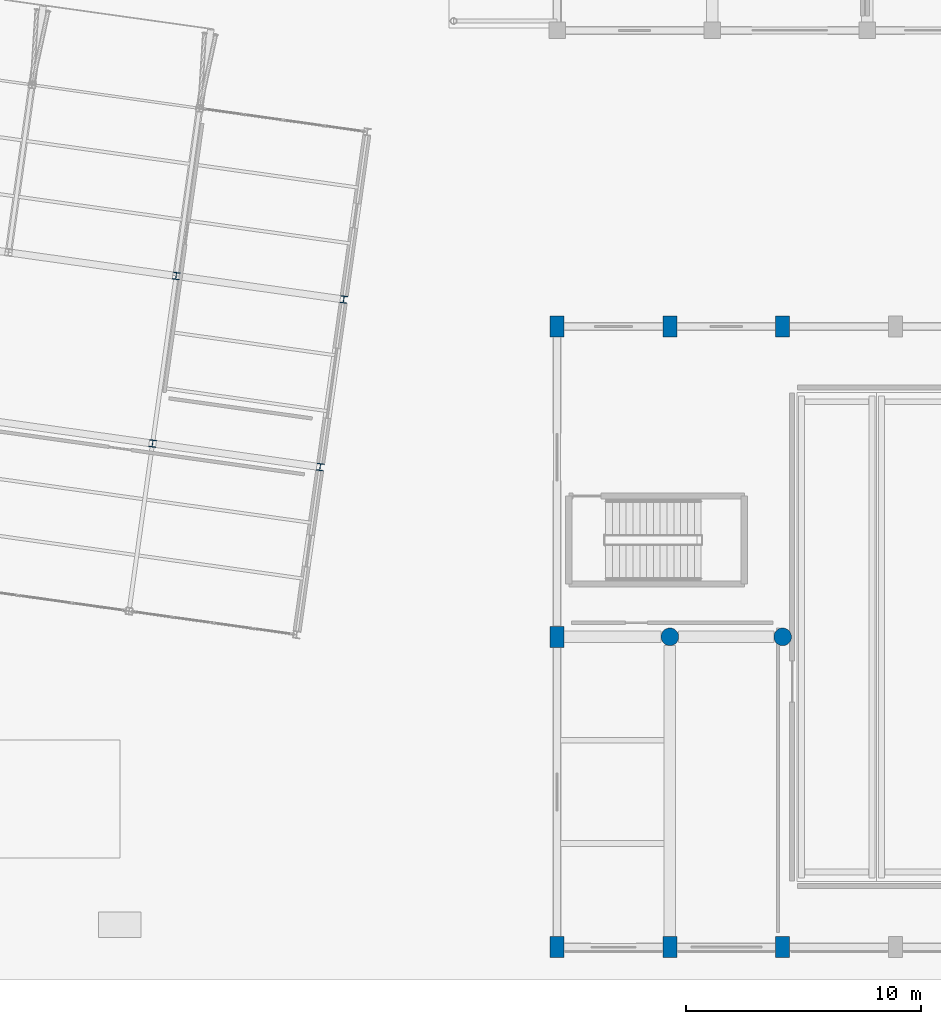
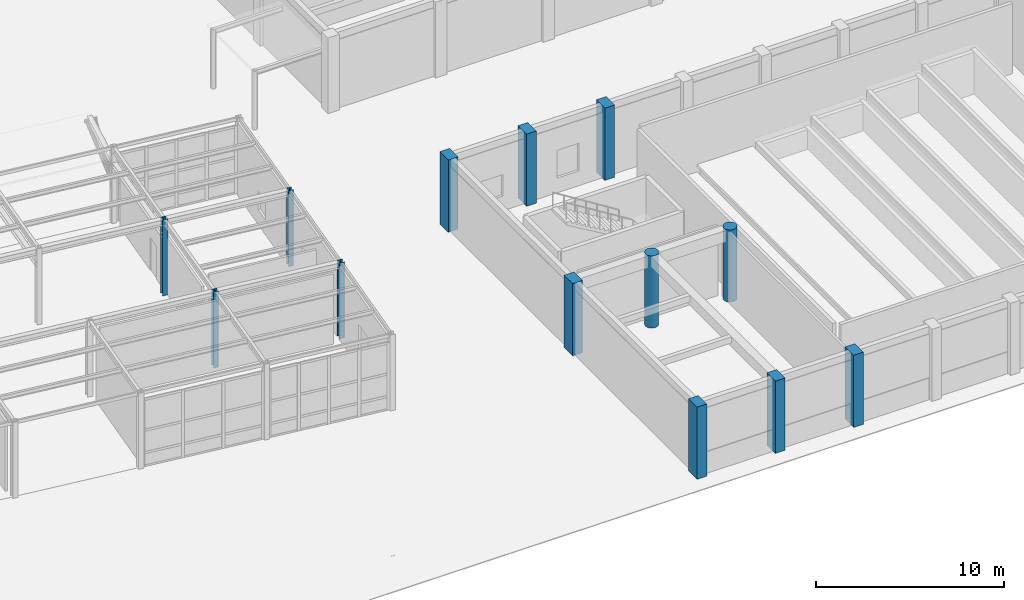
# One storey, part 6 of 57: 13 columns.
"""IFC4 building model written with IfcOpenShell, lengths in metres."""

import ifcopenshell
import ifcopenshell.guid

model = None  # the IFC model being written
_history = None  # IfcOwnerHistory: only IFC2X3 demands one
_inside = {}  # id of a spatial element -> (the spatial element, [elements in it])
_under = {}  # id of a project, library or spatial element -> (it, [spatial elements below it])
_declared = {}  # id of a project -> (the project, [libraries it declares])
_typed = {}  # id of a type object -> (the type object, [elements of that type])
_made_of = {}  # id of a material, layer set ... -> (it, [elements and type objects made of it])


def new_model(schema):
    """Start an empty IFC model of exactly this schema.

    Asked for "IFC4X3", IfcOpenShell would pick the latest addendum, in which some entities
    have other attributes; the version numbers below select the first issue.
    IFC2X3 requires an IfcOwnerHistory on every rooted entity: one is made here for all.
    """
    global model, _history
    if schema == "IFC4X3":
        model = ifcopenshell.file(schema_version=(4, 3, 0, 0))
    else:
        model = ifcopenshell.file(schema=schema)
    _inside.clear()
    _under.clear()
    _declared.clear()
    _typed.clear()
    _made_of.clear()
    _history = None
    if model.schema == "IFC2X3":
        org = make("IfcOrganization", Name="unknown")
        user = make(
            "IfcPersonAndOrganization",
            ThePerson=make("IfcPerson", FamilyName="unknown"),
            TheOrganization=org,
        )
        app = make(
            "IfcApplication",
            ApplicationDeveloper=org,
            Version="unknown",
            ApplicationFullName="unknown",
            ApplicationIdentifier="unknown",
        )
        _history = make(
            "IfcOwnerHistory",
            OwningUser=user,
            OwningApplication=app,
            ChangeAction="ADDED",
            CreationDate=0,
        )
    return model


def make(cls, **values):
    """One entity of the class cls with the attributes given. An attribute that is None is left unset."""
    return model.create_entity(
        cls, **{name: value for name, value in values.items() if value is not None}
    )


def rooted(cls, **values):
    """An entity with a GlobalId (a new one), such as an element, a storey or a relation."""
    return make(cls, GlobalId=ifcopenshell.guid.new(), OwnerHistory=_history, **values)


def si_unit(unit_type, name, prefix=None):
    """IfcSIUnit, for example si_unit("LENGTHUNIT", "METRE", prefix="MILLI")."""
    return make("IfcSIUnit", UnitType=unit_type, Prefix=prefix, Name=name)


def assignment(units):
    """IfcUnitAssignment: the units of a project."""
    return None if units is None else make("IfcUnitAssignment", Units=units)


def point(xyz):
    """IfcCartesianPoint."""
    return None if xyz is None else make("IfcCartesianPoint", Coordinates=xyz)


def direction(xyz):
    """IfcDirection."""
    return None if xyz is None else make("IfcDirection", DirectionRatios=xyz)


def frame(location, z_axis=None, x_axis=None):
    """IfcAxis2Placement3D, a coordinate frame: its origin and axes. An axis left out is left unset."""
    return make(
        "IfcAxis2Placement3D",
        Location=point(location),
        Axis=direction(z_axis),
        RefDirection=direction(x_axis),
    )


def frame_2d(location, x_axis=None):
    """IfcAxis2Placement2D, a coordinate frame in the plane: its origin and x axis."""
    return make(
        "IfcAxis2Placement2D", Location=point(location), RefDirection=direction(x_axis)
    )


def origin():
    """The frame at (0, 0, 0) with its axes left unset."""
    return frame((0.0, 0.0, 0.0))


def origin_2d():
    """The frame at (0, 0) in the plane with its x axis left unset."""
    return frame_2d((0.0, 0.0))


def place(relative_to, where):
    """IfcLocalPlacement: puts the frame where relative to a parent placement (None: the world)."""
    return make(
        "IfcLocalPlacement", PlacementRelTo=relative_to, RelativePlacement=where
    )


def context(
    kind, dimensions, precision=None, world=None, true_north=None, identifier=None
):
    """IfcGeometricRepresentationContext, for example the 3D "Model" context."""
    return make(
        "IfcGeometricRepresentationContext",
        ContextIdentifier=identifier,
        ContextType=kind,
        CoordinateSpaceDimension=dimensions,
        Precision=precision,
        WorldCoordinateSystem=world,
        TrueNorth=true_north,
    )


def subcontext(parent, identifier, kind, view, scale=None):
    """IfcGeometricRepresentationSubContext, for example "Body" below "Model"."""
    return make(
        "IfcGeometricRepresentationSubContext",
        ContextIdentifier=identifier,
        ContextType=kind,
        ParentContext=parent,
        TargetScale=scale,
        TargetView=view,
    )


def project(units=None, contexts=None):
    """IfcProject with its units and contexts."""
    return rooted(
        "IfcProject",
        Name="project",
        RepresentationContexts=contexts,
        UnitsInContext=assignment(units),
    )


def spatial(cls, under=None, at=None, **own):
    """A site, building, storey or space (cls), placed at a placement, below another one or the project."""
    s = rooted(cls, ObjectPlacement=at, **own)
    if under is not None:
        _under.setdefault(under.id(), (under, []))[1].append(s)
    return s


def profile(cls, at=None, kind="AREA", **sizes):
    """A parametric profile (cls). Its sizes go by their IFC names, for example OverallWidth=200.0."""
    return make(cls, ProfileType=kind, Position=at, **sizes)


def rectangle(**sizes):
    """IfcRectangleProfileDef."""
    return profile("IfcRectangleProfileDef", **sizes)


def circle(**sizes):
    """IfcCircleProfileDef."""
    return profile("IfcCircleProfileDef", **sizes)


def i_section(**sizes):
    """IfcIShapeProfileDef."""
    return profile("IfcIShapeProfileDef", **sizes)


def extrude(swept, where, along, depth):
    """IfcExtrudedAreaSolid: the profile swept, set in the frame where, extruded along a direction by depth."""
    return make(
        "IfcExtrudedAreaSolid",
        SweptArea=swept,
        Position=where,
        ExtrudedDirection=direction(along),
        Depth=depth,
    )


def shape(context_of_items, identifier, shape_type, items):
    """IfcShapeRepresentation: the items that make up one representation, for example the "Body"."""
    return make(
        "IfcShapeRepresentation",
        ContextOfItems=context_of_items,
        RepresentationIdentifier=identifier,
        RepresentationType=shape_type,
        Items=items,
    )


def material(Name=None, Category=None):
    """IfcMaterial."""
    return make("IfcMaterial", Name=Name, Category=Category)


def material_profile(
    of_material, cross_section, Name=None, Category=None, Priority=None
):
    """IfcMaterialProfile: a cross section and its material."""
    return make(
        "IfcMaterialProfile",
        Name=Name,
        Material=of_material,
        Profile=cross_section,
        Priority=Priority,
        Category=Category,
    )


def profile_set(profiles, Name=None, composite=None):
    """IfcMaterialProfileSet."""
    return make(
        "IfcMaterialProfileSet",
        Name=Name,
        MaterialProfiles=profiles,
        CompositeProfile=composite,
    )


def made_of(thing, what):
    """Note that an element or type object is made of a material, layer set ...; save() writes the relation."""
    if what is not None:
        _made_of.setdefault(what.id(), (what, []))[1].append(thing)
    return thing


def type_object(cls, material=None, **own):
    """A type object (cls), such as IfcWallType, which elements share."""
    return made_of(rooted(cls, **own), material)


def element(
    cls,
    number,
    at=None,
    inside=None,
    cuts=None,
    type_object=None,
    material=None,
    context=None,
    identifier="Body",
    shape_type=None,
    held_by="IfcProductDefinitionShape",
    body=None,
    shapes=None,
    **own,
):
    """One element of the class cls, such as IfcWall. Its Tag is "e" and its number.

    at: its placement. inside: the storey or other place that contains it. cuts: it is an
    opening in that element (IfcRelVoidsElement). A single representation is given by context,
    identifier, shape_type and body (its items); several are given by shapes. held_by: the class
    of the entity that holds the representations. save() writes the other relations.
    """
    e = rooted(cls, Tag="e%d" % number, ObjectPlacement=at, **own)
    if body is not None:
        shapes = [shape(context, identifier, shape_type, body)]
    if shapes is not None:
        e.Representation = make(held_by, Representations=shapes)
    if inside is not None:
        _inside.setdefault(inside.id(), (inside, []))[1].append(e)
    if cuts is not None:
        rooted(
            "IfcRelVoidsElement", RelatingBuildingElement=cuts, RelatedOpeningElement=e
        )
    if type_object is not None:
        _typed.setdefault(type_object.id(), (type_object, []))[1].append(e)
    return made_of(e, material)


def aggregate(whole, parts):
    """IfcRelAggregates: a whole, such as a stair, and the parts it consists of."""
    return rooted("IfcRelAggregates", RelatingObject=whole, RelatedObjects=parts)


def save(model, path):
    """Write the relations noted so far, then the file.

    IfcRelAggregates (storeys below a building ...), IfcRelContainedInSpatialStructure (elements
    in a storey), IfcRelDefinesByType, IfcRelAssociatesMaterial and IfcRelDeclares: one each for
    every whole, place, type object, material and project.
    """
    for whole, parts in _under.values():
        aggregate(whole, parts)
    for where, things in _inside.values():
        rooted(
            "IfcRelContainedInSpatialStructure",
            RelatedElements=things,
            RelatingStructure=where,
        )
    for kind, things in _typed.values():
        rooted("IfcRelDefinesByType", RelatedObjects=things, RelatingType=kind)
    for what, things in _made_of.values():
        rooted("IfcRelAssociatesMaterial", RelatedObjects=things, RelatingMaterial=what)
    for by, libraries in _declared.values():
        rooted("IfcRelDeclares", RelatingContext=by, RelatedDefinitions=libraries)
    model.write(path)


model = new_model("IFC4")

# Units and contexts
model_context = context("Model", 3, precision=1e-05, world=origin(), true_north=direction((0.0, 1.0)))
body_context = subcontext(model_context, "Body", "Model", "MODEL_VIEW")
ifc_project = project(units=[si_unit("LENGTHUNIT", "METRE"), si_unit("AREAUNIT", "SQUARE_METRE"), si_unit("VOLUMEUNIT", "CUBIC_METRE"), si_unit("PLANEANGLEUNIT", "RADIAN"), si_unit("MASSUNIT", "GRAM", prefix="KILO")], contexts=[model_context])

# Site, building, storey
site_placement = place(None, origin())
site = spatial("IfcSite", under=ifc_project, at=site_placement, CompositionType="ELEMENT")
building_placement = place(site_placement, origin())
building = spatial("IfcBuilding", under=site, at=building_placement, Name="Kharisveld Research Institute", CompositionType="ELEMENT")
storey_placement = place(building_placement, origin())
storey = spatial("IfcBuildingStorey", under=building, at=storey_placement, Name="L00", CompositionType="ELEMENT", Elevation=0.0)

# Columns
ifc_material_1 = material(Name="Concrete C40/50", Category="concrete")
ifc_material_profile_1 = material_profile(ifc_material_1, rectangle(XDim=0.60009765625, YDim=0.89990234375, at=origin_2d()))
ifc_profile_set_1 = profile_set([ifc_material_profile_1], Name="Concrete C40/50")
column_type_1 = type_object("IfcColumnType", Name="COL_RC_600x900", PredefinedType="COLUMN", material=ifc_profile_set_1)
for number, where, z_axis, x_axis, name in (
    (1, (114.60009765625, 0.199951171875, 0.0), (0.0, 0.0, 1.0), (1.0, 0.0, 0.0), "COL:V5:L00:U0V0"),
    (2, (114.60009765625, 13.39990234375, 0.0), (0.0, 0.0, 1.0), (1.0, 0.0, 0.0), "COL:V5:L00:U0V1"),
    (3, (114.60009765625, 26.60009765625, 0.0), (0.0, 0.0, 1.0), (1.0, 0.0, 0.0), "COL:V5:L00:U0V2"),
    (4, (119.39990234375, 0.199951171875, 0.0), (0.0, 0.0, 1.0), (1.0, 0.0, 0.0), "COL:V5:L00:U1V0"),
    (5, (119.39990234375, 26.60009765625, 0.0), (0.0, 0.0, 1.0), (1.0, 0.0, 0.0), "COL:V5:L00:U1V2"),
    (6, (124.199951171875, 0.199951171875, 0.0), (0.0, 0.0, 1.0), (1.0, 0.0, 0.0), "COL:V5:L00:U2V0"),
    (7, (124.199951171875, 26.60009765625, 0.0), (0.0, 0.0, 1.0), (1.0, 0.0, 0.0), "COL:V5:L00:U2V2"),
):
    element("IfcColumn", number, at=place(storey_placement, frame(where, z_axis=z_axis, x_axis=x_axis)), inside=storey, type_object=column_type_1, Name=name, PredefinedType="COLUMN", context=body_context, shape_type="SweptSolid", body=[
        extrude(rectangle(XDim=0.60009765625, YDim=0.89990234375, at=origin_2d()), origin(), (0.0, 0.0, 1.0), 4.679931640625),
    ])
ifc_material_2 = material(Name="Concrete C40/50", Category="concrete")
ifc_material_profile_2 = material_profile(ifc_material_2, circle(Radius=0.375, at=origin_2d()))
ifc_profile_set_2 = profile_set([ifc_material_profile_2], Name="Concrete C40/50")
column_type_2 = type_object("IfcColumnType", Name="COL_RC_D750", PredefinedType="COLUMN", material=ifc_profile_set_2)
for number, where, z_axis, x_axis, name in (
    (8, (119.39990234375, 13.39990234375, 0.0), (0.0, 0.0, 1.0), (1.0, 0.0, 0.0), "COL:V5:L00:U1V1"),
    (9, (124.199951171875, 13.39990234375, 0.0), (0.0, 0.0, 1.0), (1.0, 0.0, 0.0), "COL:V5:L00:U2V1"),
):
    element("IfcColumn", number, at=place(storey_placement, frame(where, z_axis=z_axis, x_axis=x_axis)), inside=storey, type_object=column_type_2, Name=name, PredefinedType="COLUMN", context=body_context, shape_type="SweptSolid", body=[
        extrude(circle(Radius=0.375, at=origin_2d()), origin(), (0.0, 0.0, 1.0), 4.679931640625),
    ])
ifc_material_3 = material(Name="Steel S355JR", Category="steel")
ifc_material_profile_3 = material_profile(ifc_material_3, i_section(OverallWidth=0.300048828125, OverallDepth=0.300048828125, WebThickness=0.010986328125, FlangeThickness=0.01904296875, at=origin_2d()))
ifc_profile_set_3 = profile_set([ifc_material_profile_3], Name="Steel S355JR")
column_type_3 = type_object("IfcColumnType", Name="COL_ST_HEB300", PredefinedType="COLUMN", material=ifc_profile_set_3)
for number, where, z_axis, x_axis, name in (
    (10, (97.391845703125, 21.623779296875, 0.0), (0.0, 0.0, 1.0), (0.990268068742, -0.13917310096, 0.0), "COL:V4:L00:U3V1"),
    (11, (98.393798828125, 28.753662109375, 0.0), (0.0, 0.0, 1.0), (0.990268068742, -0.13917310096, 0.0), "COL:V4:L00:U3V2"),
    (12, (104.521728515625, 20.621826171875, 0.0), (0.0, 0.0, 1.0), (0.990268068742, -0.13917310096, 0.0), "COL:V4:L00:U4V1"),
    (13, (105.52392578125, 27.751708984375, 0.0), (0.0, 0.0, 1.0), (0.990268068742, -0.13917310096, 0.0), "COL:V4:L00:U4V2"),
):
    element("IfcColumn", number, at=place(storey_placement, frame(where, z_axis=z_axis, x_axis=x_axis)), inside=storey, type_object=column_type_3, Name=name, PredefinedType="COLUMN", context=body_context, shape_type="SweptSolid", body=[
        extrude(i_section(OverallWidth=0.300048828125, OverallDepth=0.300048828125, WebThickness=0.010986328125, FlangeThickness=0.01904296875, at=origin_2d()), origin(), (0.0, 0.0, 1.0), 4.919921875),
    ])

save(model, "model.ifc")
